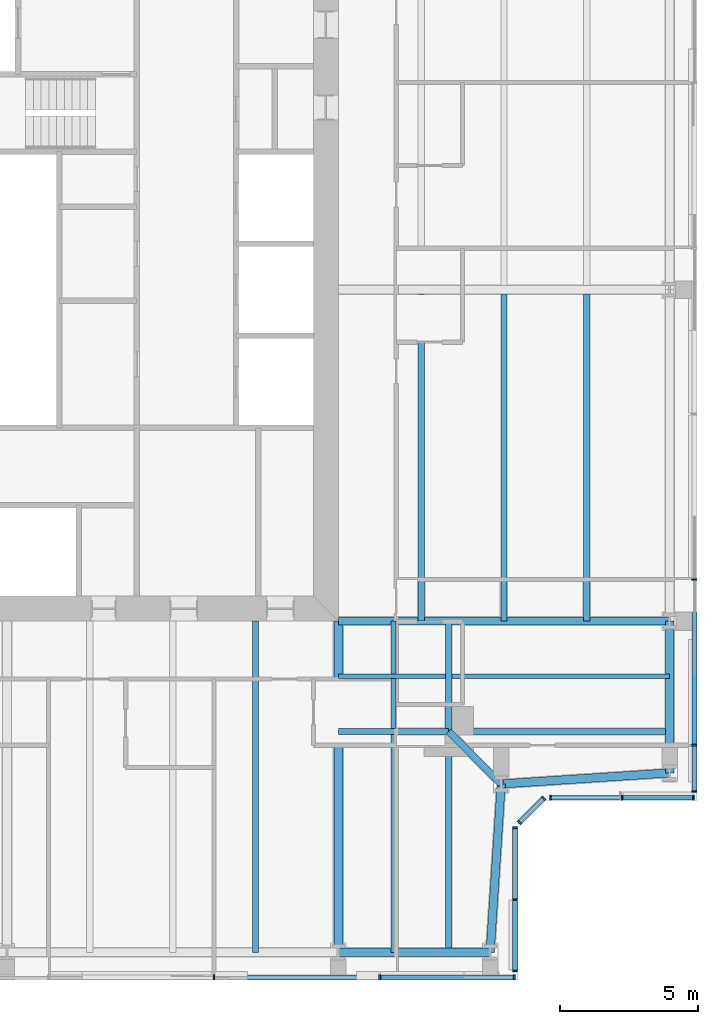
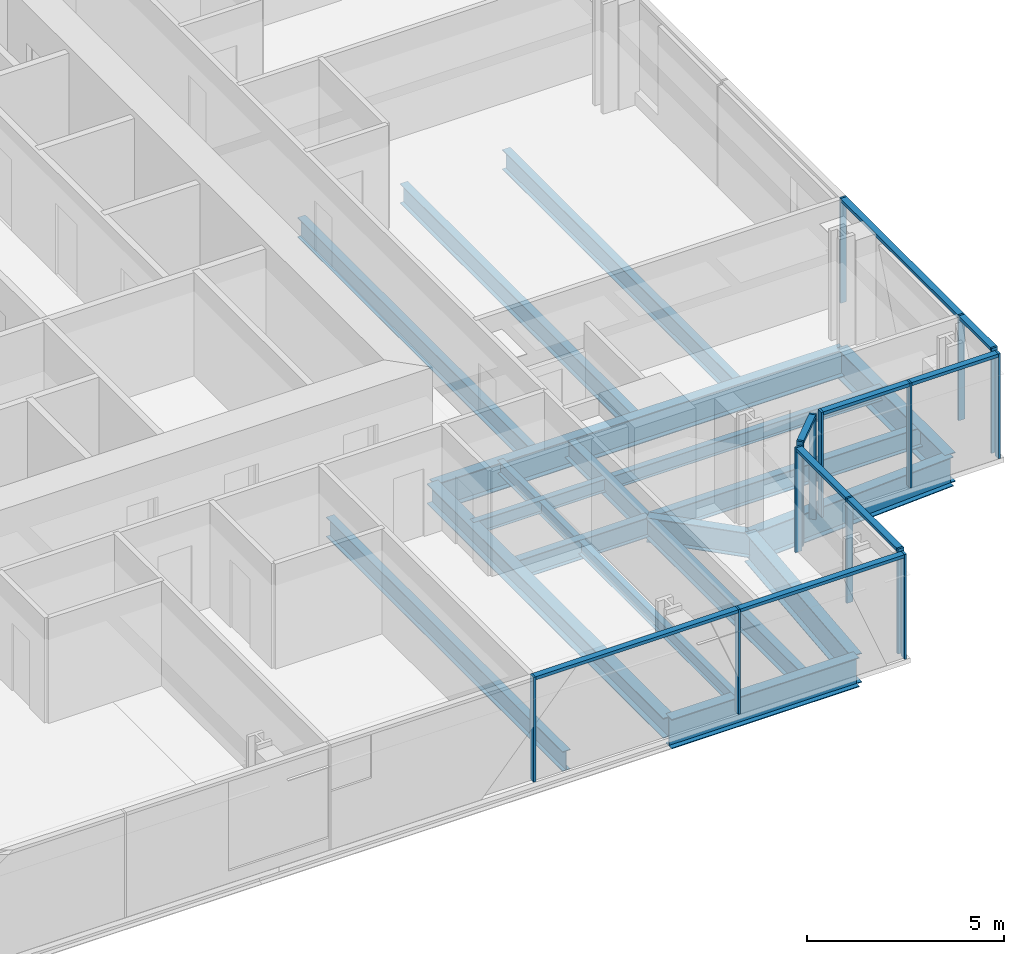
# One storey, part 5 of 20: 23 members, 20 beams, 5 elements without a shape of their own.
"""IFC4 building model written with IfcOpenShell, lengths in metres."""

from ifc_helpers import new_model, si_unit, direction, frame, origin, origin_2d, place, context, subcontext, project, spatial, rectangle, i_section, extrude, material, material_profile, profile_set, type_object, element, aggregate, save


model = new_model("IFC4")

# Units and contexts
model_context = context("Model", 3, precision=1e-05, world=origin(), true_north=direction((0.0, 1.0)))
body_context = subcontext(model_context, "Body", "Model", "MODEL_VIEW")
ifc_project = project(units=[si_unit("LENGTHUNIT", "METRE"), si_unit("AREAUNIT", "SQUARE_METRE"), si_unit("VOLUMEUNIT", "CUBIC_METRE"), si_unit("PLANEANGLEUNIT", "RADIAN"), si_unit("MASSUNIT", "GRAM", prefix="KILO")], contexts=[model_context])

# Site, building, storey
site_placement = place(None, origin())
site = spatial("IfcSite", under=ifc_project, at=site_placement, CompositionType="ELEMENT")
building_placement = place(site_placement, origin())
building = spatial("IfcBuilding", under=site, at=building_placement, Name="Fenwick Lantern Interchange", CompositionType="ELEMENT")
storey_placement = place(building_placement, frame((0.0, 0.0, 259.39990234375)))
storey = spatial("IfcBuildingStorey", under=building, at=storey_placement, Name="L61", CompositionType="ELEMENT", Elevation=259.39990234375)

# Beams
ifc_material_1 = material(Name="Steel ASTM A992 Grade 50", Category="steel")
ifc_material_profile_1 = material_profile(ifc_material_1, i_section(OverallWidth=0.3046875, OverallDepth=0.911865234375, WebThickness=0.015869140625, FlangeThickness=0.02392578125, at=origin_2d()), Name="W36X150")
ifc_profile_set_1 = profile_set([ifc_material_profile_1], Name="Steel ASTM A992 Grade 50")
beam_type_1 = type_object("IfcBeamType", Name="EDGE BEAM W36X150", PredefinedType="SPANDREL", material=ifc_profile_set_1)
beam_1_placement = place(storey_placement, frame((37.0, 1.0, -0.605712890625), z_axis=(1.0, 0.0, 0.0), x_axis=(0.0, 1.0, 0.0)))
element("IfcBeam", 1, at=beam_1_placement, inside=storey, type_object=beam_type_1, Name="L61/FR/S/EB4", PredefinedType="SPANDREL", context=body_context, shape_type="SweptSolid", body=[
    extrude(i_section(OverallWidth=0.3046875, OverallDepth=0.911865234375, WebThickness=0.015869140625, FlangeThickness=0.02392578125, at=origin_2d()), origin(), (0.0, 0.0, 1.0), 5.5),
])
for number, where, z_axis, x_axis, name in (
    (2, (42.5, 1.0, -0.605712890625), (0.065416293237, 0.997858060337, 0.0), (-0.997858060337, 0.065416293237, 0.0), "L61/FR/S/EBR1"),
    (3, (42.89990234375, 7.10009765625, -0.605712890625), (0.997858060337, 0.065416293237, 0.0), (-0.065416293237, 0.997858060337, 0.0), "L61/FR/S/EBR2"),
):
    element("IfcBeam", number, at=place(storey_placement, frame(where, z_axis=z_axis, x_axis=x_axis)), inside=storey, type_object=beam_type_1, Name=name, PredefinedType="SPANDREL", context=body_context, shape_type="SweptSolid", body=[
        extrude(i_section(OverallWidth=0.3046875, OverallDepth=0.911865234375, WebThickness=0.015869140625, FlangeThickness=0.02392578125, at=origin_2d()), origin(), (0.0, 0.0, 1.0), 6.11328125),
    ])
beam_2_placement = place(storey_placement, frame((49.0, 7.5, -0.605712890625), z_axis=(0.0, 1.0, 0.0), x_axis=(-1.0, 0.0, 0.0)))
element("IfcBeam", 4, at=beam_2_placement, inside=storey, type_object=beam_type_1, Name="L61/FR/E/EB1", PredefinedType="SPANDREL", context=body_context, shape_type="SweptSolid", body=[
    extrude(i_section(OverallWidth=0.3046875, OverallDepth=0.911865234375, WebThickness=0.015869140625, FlangeThickness=0.02392578125, at=origin_2d()), origin(), (0.0, 0.0, 1.0), 5.5),
])
ifc_material_profile_2 = material_profile(ifc_material_1, i_section(OverallWidth=0.22900390625, OverallDepth=0.612060546875, WebThickness=0.011962890625, FlangeThickness=0.01953125, at=origin_2d()), Name="W24X84")
ifc_profile_set_2 = profile_set([ifc_material_profile_2], Name="Steel ASTM A992 Grade 50")
beam_type_2 = type_object("IfcBeamType", Name="FLOOR BEAM W24X84", PredefinedType="BEAM", material=ifc_profile_set_2)
beam_3_placement = place(storey_placement, frame((34.0, 1.0, -0.4560546875), z_axis=(0.0, 1.0, 0.0), x_axis=(-1.0, 0.0, 0.0)))
element("IfcBeam", 5, at=beam_3_placement, inside=storey, type_object=beam_type_2, Name="L61/FR/S/R08", PredefinedType="BEAM", context=body_context, shape_type="SweptSolid", body=[
    extrude(i_section(OverallWidth=0.22900390625, OverallDepth=0.612060546875, WebThickness=0.011962890625, FlangeThickness=0.01953125, at=origin_2d()), origin(), (0.0, 0.0, 1.0), 12.0),
])
for number, where, z_axis, x_axis, name in (
    (6, (46.0, 13.0, -0.4560546875), (0.0, 1.0, 0.0), (-1.0, 0.0, 0.0), "L61/FR/E/B01"),
    (7, (43.0, 13.0, -0.4560546875), (0.0, 1.0, 0.0), (-1.0, 0.0, 0.0), "L61/FR/E/B02"),
    (8, (40.0, 13.0, -0.4560546875), (0.0, 1.0, 0.0), (-1.0, 0.0, 0.0), "L61/FR/E/B03"),
):
    element("IfcBeam", number, at=place(storey_placement, frame(where, z_axis=z_axis, x_axis=x_axis)), inside=storey, type_object=beam_type_2, Name=name, PredefinedType="BEAM", context=body_context, shape_type="SweptSolid", body=[
        extrude(i_section(OverallWidth=0.22900390625, OverallDepth=0.612060546875, WebThickness=0.011962890625, FlangeThickness=0.01953125, at=origin_2d()), origin(), (0.0, 0.0, 1.0), 11.844970703125),
    ])

# Curtain wall, members
ifc_material_2 = material(Name="Aluminium curtain wall frame", Category="aluminium")
curtain_wall_type = type_object("IfcCurtainWallType", Name="HOTEL CURTAIN WALL", PredefinedType="USERDEFINED", material=ifc_material_2)
curtain_wall_1_placement = place(storey_placement, origin())
curtain_wall_1 = element("IfcCurtainWall", 9, at=curtain_wall_1_placement, inside=storey, type_object=curtain_wall_type, Name="Hotel curtain wall 01", ObjectType="HOTEL CURTAIN WALL", PredefinedType="USERDEFINED")
ifc_material_3 = material(Name="Aluminium extrusion", Category="aluminium")
ifc_material_profile_3 = material_profile(ifc_material_3, rectangle(XDim=0.179931640625, YDim=0.06005859375, at=origin_2d()), Name="HOTEL CURTAIN WALL MULLION 60 X 180")
ifc_profile_set_3 = profile_set([ifc_material_profile_3], Name="Aluminium extrusion")
member_type_1 = type_object("IfcMemberType", Name="HOTEL CURTAIN WALL MULLION 60 X 180", PredefinedType="MULLION", material=ifc_profile_set_3)
member_1_placement = place(storey_placement, frame((32.5, 0.10009765625, 0.0), z_axis=(0.0, 0.0, 1.0), x_axis=(0.0, 1.0, 0.0)))
member_1 = element("IfcMember", 10, at=member_1_placement, type_object=member_type_1, Name="L61/CW/01/M05", PredefinedType="MULLION", context=body_context, shape_type="SweptSolid", body=[
    extrude(rectangle(XDim=0.179931640625, YDim=0.06005859375, at=origin_2d()), origin(), (0.0, 0.0, 1.0), 3.25),
])
member_2_placement = place(storey_placement, frame((38.5, 0.10009765625, 0.0), z_axis=(0.0, 0.0, 1.0), x_axis=(0.0, 1.0, 0.0)))
member_2 = element("IfcMember", 11, at=member_2_placement, type_object=member_type_1, Name="L61/CW/01/M06", PredefinedType="MULLION", context=body_context, shape_type="SweptSolid", body=[
    extrude(rectangle(XDim=0.179931640625, YDim=0.06005859375, at=origin_2d()), origin(), (0.0, 0.0, 1.0), 3.25),
])
member_3_placement = place(storey_placement, frame((43.3701171875, 0.10009765625, 0.0), z_axis=(0.0, 0.0, 1.0), x_axis=(0.0, 1.0, 0.0)))
member_3 = element("IfcMember", 12, at=member_3_placement, type_object=member_type_1, Name="L61/CW/01/M07", PredefinedType="MULLION", context=body_context, shape_type="SweptSolid", body=[
    extrude(rectangle(XDim=0.179931640625, YDim=0.06005859375, at=origin_2d()), origin(), (0.0, 0.0, 1.0), 3.25),
])

curtain_wall_2_placement = place(storey_placement, origin())
curtain_wall_2 = element("IfcCurtainWall", 13, at=curtain_wall_2_placement, inside=storey, type_object=curtain_wall_type, Name="Hotel curtain wall 02", ObjectType="HOTEL CURTAIN WALL", PredefinedType="USERDEFINED")
member_4_placement = place(storey_placement, frame((43.39990234375, 0.330078125, 0.0), z_axis=(0.0, 0.0, 1.0), x_axis=(-1.0, 0.0, 0.0)))
member_4 = element("IfcMember", 14, at=member_4_placement, type_object=member_type_1, Name="L61/CW/02/M00", PredefinedType="MULLION", context=body_context, shape_type="SweptSolid", body=[
    extrude(rectangle(XDim=0.179931640625, YDim=0.06005859375, at=origin_2d()), origin(), (0.0, 0.0, 1.0), 3.25),
])
member_5_placement = place(storey_placement, frame((43.39990234375, 2.920654296875, 0.0), z_axis=(0.0, 0.0, 1.0), x_axis=(-1.0, 0.0, 0.0)))
member_5 = element("IfcMember", 15, at=member_5_placement, type_object=member_type_1, Name="L61/CW/02/M01", PredefinedType="MULLION", context=body_context, shape_type="SweptSolid", body=[
    extrude(rectangle(XDim=0.179931640625, YDim=0.06005859375, at=origin_2d()), origin(), (0.0, 0.0, 1.0), 3.25),
])
member_6_placement = place(storey_placement, frame((43.39990234375, 5.511474609375, 0.0), z_axis=(0.0, 0.0, 1.0), x_axis=(-1.0, 0.0, 0.0)))
member_6 = element("IfcMember", 16, at=member_6_placement, type_object=member_type_1, Name="L61/CW/02/M02", PredefinedType="MULLION", context=body_context, shape_type="SweptSolid", body=[
    extrude(rectangle(XDim=0.179931640625, YDim=0.06005859375, at=origin_2d()), origin(), (0.0, 0.0, 1.0), 3.25),
])

curtain_wall_3_placement = place(storey_placement, origin())
curtain_wall_3 = element("IfcCurtainWall", 17, at=curtain_wall_3_placement, inside=storey, type_object=curtain_wall_type, Name="Hotel curtain wall 03", ObjectType="HOTEL CURTAIN WALL", PredefinedType="USERDEFINED")
member_7_placement = place(storey_placement, frame((43.562744140625, 5.7041015625, 0.0), z_axis=(0.0, 0.0, 1.0), x_axis=(-0.707106781187, 0.707106781187, 0.0)))
member_7 = element("IfcMember", 18, at=member_7_placement, type_object=member_type_1, Name="L61/CW/03/M00", PredefinedType="MULLION", context=body_context, shape_type="SweptSolid", body=[
    extrude(rectangle(XDim=0.179931640625, YDim=0.06005859375, at=origin_2d()), origin(), (0.0, 0.0, 1.0), 3.25),
])
member_8_placement = place(storey_placement, frame((44.437255859375, 6.578857421875, 0.0), z_axis=(0.0, 0.0, 1.0), x_axis=(-0.707106781187, 0.707106781187, 0.0)))
member_8 = element("IfcMember", 19, at=member_8_placement, type_object=member_type_1, Name="L61/CW/03/M01", PredefinedType="MULLION", context=body_context, shape_type="SweptSolid", body=[
    extrude(rectangle(XDim=0.179931640625, YDim=0.06005859375, at=origin_2d()), origin(), (0.0, 0.0, 1.0), 3.25),
])

curtain_wall_4_placement = place(storey_placement, origin())
curtain_wall_4 = element("IfcCurtainWall", 20, at=curtain_wall_4_placement, inside=storey, type_object=curtain_wall_type, Name="Hotel curtain wall 04", ObjectType="HOTEL CURTAIN WALL", PredefinedType="USERDEFINED")
member_9_placement = place(storey_placement, frame((44.6884765625, 6.60009765625, 0.0), z_axis=(0.0, 0.0, 1.0), x_axis=(0.0, 1.0, 0.0)))
member_9 = element("IfcMember", 21, at=member_9_placement, type_object=member_type_1, Name="L61/CW/04/M00", PredefinedType="MULLION", context=body_context, shape_type="SweptSolid", body=[
    extrude(rectangle(XDim=0.179931640625, YDim=0.06005859375, at=origin_2d()), origin(), (0.0, 0.0, 1.0), 3.25),
])
member_10_placement = place(storey_placement, frame((47.279296875, 6.60009765625, 0.0), z_axis=(0.0, 0.0, 1.0), x_axis=(0.0, 1.0, 0.0)))
member_10 = element("IfcMember", 22, at=member_10_placement, type_object=member_type_1, Name="L61/CW/04/M01", PredefinedType="MULLION", context=body_context, shape_type="SweptSolid", body=[
    extrude(rectangle(XDim=0.179931640625, YDim=0.06005859375, at=origin_2d()), origin(), (0.0, 0.0, 1.0), 3.25),
])
member_11_placement = place(storey_placement, frame((49.8701171875, 6.60009765625, 0.0), z_axis=(0.0, 0.0, 1.0), x_axis=(0.0, 1.0, 0.0)))
member_11 = element("IfcMember", 23, at=member_11_placement, type_object=member_type_1, Name="L61/CW/04/M02", PredefinedType="MULLION", context=body_context, shape_type="SweptSolid", body=[
    extrude(rectangle(XDim=0.179931640625, YDim=0.06005859375, at=origin_2d()), origin(), (0.0, 0.0, 1.0), 3.25),
])

curtain_wall_5_placement = place(storey_placement, origin())
curtain_wall_5 = element("IfcCurtainWall", 24, at=curtain_wall_5_placement, inside=storey, type_object=curtain_wall_type, Name="Hotel curtain wall 05", ObjectType="HOTEL CURTAIN WALL", PredefinedType="USERDEFINED")
member_12_placement = place(storey_placement, frame((49.89990234375, 6.830078125, 0.0), z_axis=(0.0, 0.0, 1.0), x_axis=(-1.0, 0.0, 0.0)))
member_12 = element("IfcMember", 25, at=member_12_placement, type_object=member_type_1, Name="L61/CW/05/M00", PredefinedType="MULLION", context=body_context, shape_type="SweptSolid", body=[
    extrude(rectangle(XDim=0.179931640625, YDim=0.06005859375, at=origin_2d()), origin(), (0.0, 0.0, 1.0), 3.25),
])
member_13_placement = place(storey_placement, frame((49.89990234375, 8.5, 0.0), z_axis=(0.0, 0.0, 1.0), x_axis=(-1.0, 0.0, 0.0)))
member_13 = element("IfcMember", 26, at=member_13_placement, type_object=member_type_1, Name="L61/CW/05/M01", PredefinedType="MULLION", context=body_context, shape_type="SweptSolid", body=[
    extrude(rectangle(XDim=0.179931640625, YDim=0.06005859375, at=origin_2d()), origin(), (0.0, 0.0, 1.0), 3.25),
])
member_14_placement = place(storey_placement, frame((49.89990234375, 14.5, 0.0), z_axis=(0.0, 0.0, 1.0), x_axis=(-1.0, 0.0, 0.0)))
member_14 = element("IfcMember", 27, at=member_14_placement, type_object=member_type_1, Name="L61/CW/05/M02", PredefinedType="MULLION", context=body_context, shape_type="SweptSolid", body=[
    extrude(rectangle(XDim=0.179931640625, YDim=0.06005859375, at=origin_2d()), origin(), (0.0, 0.0, 1.0), 3.25),
])

# Member
ifc_material_profile_4 = material_profile(ifc_material_3, rectangle(XDim=0.179931640625, YDim=0.10009765625, at=origin_2d()), Name="HOTEL CURTAIN WALL TRANSOM 100 X 180")
ifc_profile_set_4 = profile_set([ifc_material_profile_4], Name="Aluminium extrusion")
member_type_2 = type_object("IfcMemberType", Name="HOTEL CURTAIN WALL TRANSOM 100 X 180", PredefinedType="MULLION", material=ifc_profile_set_4)
member_15_placement = place(storey_placement, frame((32.530029296875, 0.10009765625, 3.2001953125), z_axis=(1.0, 0.0, 0.0), x_axis=(0.0, 1.0, 0.0)))
member_15 = element("IfcMember", 28, at=member_15_placement, type_object=member_type_2, Name="L61/CW/01/T05", PredefinedType="MULLION", context=body_context, shape_type="SweptSolid", body=[
    extrude(rectangle(XDim=0.179931640625, YDim=0.10009765625, at=origin_2d()), origin(), (0.0, 0.0, 1.0), 5.93994140625),
])

member_16_placement = place(storey_placement, frame((38.530029296875, 0.10009765625, 3.2001953125), z_axis=(1.0, 0.0, 0.0), x_axis=(0.0, 1.0, 0.0)))
member_16 = element("IfcMember", 29, at=member_16_placement, type_object=member_type_2, Name="L61/CW/01/T06", PredefinedType="MULLION", context=body_context, shape_type="SweptSolid", body=[
    extrude(rectangle(XDim=0.179931640625, YDim=0.10009765625, at=origin_2d()), origin(), (0.0, 0.0, 1.0), 4.81005859375),
])

aggregate(curtain_wall_1, [member_1, member_2, member_3, member_15, member_16])

member_17_placement = place(storey_placement, frame((43.39990234375, 0.360107421875, 3.2001953125), z_axis=(0.0, 1.0, 0.0), x_axis=(-1.0, 0.0, 0.0)))
member_17 = element("IfcMember", 30, at=member_17_placement, type_object=member_type_2, Name="L61/CW/02/T00", PredefinedType="MULLION", context=body_context, shape_type="SweptSolid", body=[
    extrude(rectangle(XDim=0.179931640625, YDim=0.10009765625, at=origin_2d()), origin(), (0.0, 0.0, 1.0), 2.530517578125),
])

member_18_placement = place(storey_placement, frame((43.39990234375, 2.95068359375, 3.2001953125), z_axis=(0.0, 1.0, 0.0), x_axis=(-1.0, 0.0, 0.0)))
member_18 = element("IfcMember", 31, at=member_18_placement, type_object=member_type_2, Name="L61/CW/02/T01", PredefinedType="MULLION", context=body_context, shape_type="SweptSolid", body=[
    extrude(rectangle(XDim=0.179931640625, YDim=0.10009765625, at=origin_2d()), origin(), (0.0, 0.0, 1.0), 2.53076171875),
])

aggregate(curtain_wall_2, [member_4, member_5, member_6, member_17, member_18])

member_19_placement = place(storey_placement, frame((43.583740234375, 5.725341796875, 3.2001953125), z_axis=(0.707210470133, 0.707003077033, 0.0), x_axis=(-0.707003077033, 0.707210470133, 0.0)))
member_19 = element("IfcMember", 32, at=member_19_placement, type_object=member_type_2, Name="L61/CW/03/T00", PredefinedType="MULLION", context=body_context, shape_type="SweptSolid", body=[
    extrude(rectangle(XDim=0.179931640625, YDim=0.10009765625, at=origin_2d()), origin(), (0.0, 0.0, 1.0), 1.17724609375),
])

aggregate(curtain_wall_3, [member_7, member_8, member_19])

member_20_placement = place(storey_placement, frame((44.718505859375, 6.60009765625, 3.2001953125), z_axis=(1.0, 0.0, 0.0), x_axis=(0.0, 1.0, 0.0)))
member_20 = element("IfcMember", 33, at=member_20_placement, type_object=member_type_2, Name="L61/CW/04/T00", PredefinedType="MULLION", context=body_context, shape_type="SweptSolid", body=[
    extrude(rectangle(XDim=0.179931640625, YDim=0.10009765625, at=origin_2d()), origin(), (0.0, 0.0, 1.0), 2.53076171875),
])

member_21_placement = place(storey_placement, frame((47.309326171875, 6.60009765625, 3.2001953125), z_axis=(1.0, 0.0, 0.0), x_axis=(0.0, 1.0, 0.0)))
member_21 = element("IfcMember", 34, at=member_21_placement, type_object=member_type_2, Name="L61/CW/04/T01", PredefinedType="MULLION", context=body_context, shape_type="SweptSolid", body=[
    extrude(rectangle(XDim=0.179931640625, YDim=0.10009765625, at=origin_2d()), origin(), (0.0, 0.0, 1.0), 2.53076171875),
])

aggregate(curtain_wall_4, [member_9, member_10, member_11, member_20, member_21])

member_22_placement = place(storey_placement, frame((49.89990234375, 6.860107421875, 3.2001953125), z_axis=(0.0, 1.0, 0.0), x_axis=(-1.0, 0.0, 0.0)))
member_22 = element("IfcMember", 35, at=member_22_placement, type_object=member_type_2, Name="L61/CW/05/T00", PredefinedType="MULLION", context=body_context, shape_type="SweptSolid", body=[
    extrude(rectangle(XDim=0.179931640625, YDim=0.10009765625, at=origin_2d()), origin(), (0.0, 0.0, 1.0), 1.60986328125),
])

member_23_placement = place(storey_placement, frame((49.89990234375, 8.530029296875, 3.2001953125), z_axis=(0.0, 1.0, 0.0), x_axis=(-1.0, 0.0, 0.0)))
member_23 = element("IfcMember", 36, at=member_23_placement, type_object=member_type_2, Name="L61/CW/05/T01", PredefinedType="MULLION", context=body_context, shape_type="SweptSolid", body=[
    extrude(rectangle(XDim=0.179931640625, YDim=0.10009765625, at=origin_2d()), origin(), (0.0, 0.0, 1.0), 5.93994140625),
])

aggregate(curtain_wall_5, [member_12, member_13, member_14, member_22, member_23])

# Beams
ifc_material_profile_5 = material_profile(ifc_material_1, i_section(OverallWidth=0.177734375, OverallDepth=0.406494140625, WebThickness=0.0078125, FlangeThickness=0.012939453125, at=origin_2d()), Name="W16X40")
ifc_profile_set_5 = profile_set([ifc_material_profile_5], Name="Steel ASTM A992 Grade 50")
beam_type_3 = type_object("IfcBeamType", Name="INFILL BEAM W16X40", PredefinedType="JOIST", material=ifc_profile_set_5)
beam_4_placement = place(storey_placement, frame((49.0, 11.0, -0.35302734375), z_axis=(-1.0, 0.0, 0.0), x_axis=(0.0, -1.0, 0.0)))
element("IfcBeam", 37, at=beam_4_placement, inside=storey, type_object=beam_type_3, Name="L61/FR/E/J1", PredefinedType="JOIST", context=body_context, shape_type="SweptSolid", body=[
    extrude(i_section(OverallWidth=0.177734375, OverallDepth=0.406494140625, WebThickness=0.0078125, FlangeThickness=0.012939453125, at=origin_2d()), origin(), (0.0, 0.0, 1.0), 7.885498046875),
])
beam_5_placement = place(storey_placement, frame((40.885498046875, 11.0, -0.35302734375), z_axis=(-1.0, 0.0, 0.0), x_axis=(0.0, -1.0, 0.0)))
element("IfcBeam", 38, at=beam_5_placement, inside=storey, type_object=beam_type_3, Name="L61/FR/E/J2", PredefinedType="JOIST", context=body_context, shape_type="SweptSolid", body=[
    extrude(i_section(OverallWidth=0.177734375, OverallDepth=0.406494140625, WebThickness=0.0078125, FlangeThickness=0.012939453125, at=origin_2d()), origin(), (0.0, 0.0, 1.0), 3.885498046875),
])
beam_6_placement = place(storey_placement, frame((39.0, 1.0, -0.35302734375), z_axis=(0.0, 1.0, 0.0), x_axis=(-1.0, 0.0, 0.0)))
element("IfcBeam", 39, at=beam_6_placement, inside=storey, type_object=beam_type_3, Name="L61/FR/E/J3", PredefinedType="JOIST", context=body_context, shape_type="SweptSolid", body=[
    extrude(i_section(OverallWidth=0.177734375, OverallDepth=0.406494140625, WebThickness=0.0078125, FlangeThickness=0.012939453125, at=origin_2d()), origin(), (0.0, 0.0, 1.0), 7.885498046875),
])
beam_7_placement = place(storey_placement, frame((39.0, 9.114501953125, -0.35302734375), z_axis=(0.0, 1.0, 0.0), x_axis=(-1.0, 0.0, 0.0)))
element("IfcBeam", 40, at=beam_7_placement, inside=storey, type_object=beam_type_3, Name="L61/FR/E/J4", PredefinedType="JOIST", context=body_context, shape_type="SweptSolid", body=[
    extrude(i_section(OverallWidth=0.177734375, OverallDepth=0.406494140625, WebThickness=0.0078125, FlangeThickness=0.012939453125, at=origin_2d()), origin(), (0.0, 0.0, 1.0), 1.796630859375),
])
beam_8_placement = place(storey_placement, frame((39.0, 11.0888671875, -0.35302734375), z_axis=(0.0, 1.0, 0.0), x_axis=(-1.0, 0.0, 0.0)))
element("IfcBeam", 41, at=beam_8_placement, inside=storey, type_object=beam_type_3, Name="L61/FR/E/J5", PredefinedType="JOIST", context=body_context, shape_type="SweptSolid", body=[
    extrude(i_section(OverallWidth=0.177734375, OverallDepth=0.406494140625, WebThickness=0.0078125, FlangeThickness=0.012939453125, at=origin_2d()), origin(), (0.0, 0.0, 1.0), 1.9111328125),
])
ifc_material_profile_6 = material_profile(ifc_material_1, i_section(OverallWidth=0.22900390625, OverallDepth=0.612060546875, WebThickness=0.011962890625, FlangeThickness=0.01953125, at=origin_2d()), Name="W24X84")
ifc_profile_set_6 = profile_set([ifc_material_profile_6], Name="Steel ASTM A992 Grade 50")
beam_type_4 = type_object("IfcBeamType", Name="MEGA COLUMN BEAM W24X84", PredefinedType="BEAM", material=ifc_profile_set_6)
for number, where, z_axis, x_axis, name in (
    (42, (41.0, 9.0, -0.4560546875), (1.0, 0.0, 0.0), (0.0, 1.0, 0.0), "L61/FR/E/MB1"),
    (43, (41.0, 9.0, -0.4560546875), (0.0, -1.0, 0.0), (1.0, 0.0, 0.0), "L61/FR/E/MB2"),
):
    element("IfcBeam", number, at=place(storey_placement, frame(where, z_axis=z_axis, x_axis=x_axis)), inside=storey, type_object=beam_type_4, Name=name, PredefinedType="BEAM", context=body_context, shape_type="SweptSolid", body=[
        extrude(i_section(OverallWidth=0.22900390625, OverallDepth=0.612060546875, WebThickness=0.011962890625, FlangeThickness=0.01953125, at=origin_2d()), origin(), (0.0, 0.0, 1.0), 8.0),
    ])
for number, where, z_axis, x_axis, name in (
    (44, (41.0, 9.0, -0.4560546875), (0.0, 1.0, 0.0), (-1.0, 0.0, 0.0), "L61/FR/E/MB3"),
    (45, (41.0, 9.0, -0.4560546875), (-1.0, 0.0, 0.0), (0.0, -1.0, 0.0), "L61/FR/E/MB4"),
):
    element("IfcBeam", number, at=place(storey_placement, frame(where, z_axis=z_axis, x_axis=x_axis)), inside=storey, type_object=beam_type_4, Name=name, PredefinedType="BEAM", context=body_context, shape_type="SweptSolid", body=[
        extrude(i_section(OverallWidth=0.22900390625, OverallDepth=0.612060546875, WebThickness=0.011962890625, FlangeThickness=0.01953125, at=origin_2d()), origin(), (0.0, 0.0, 1.0), 4.0),
    ])
ifc_material_profile_7 = material_profile(ifc_material_1, i_section(OverallWidth=0.32763671875, OverallDepth=0.622314453125, WebThickness=0.015380859375, FlangeThickness=0.0244140625, at=origin_2d()), Name="W24X131")
ifc_profile_set_7 = profile_set([ifc_material_profile_7], Name="Steel ASTM A992 Grade 50")
beam_type_5 = type_object("IfcBeamType", Name="MOMENT-CONNECTED GIRDER W24X131", PredefinedType="BEAM", material=ifc_profile_set_7)
beam_9_placement = place(storey_placement, frame((37.0, 1.0, -0.4609375), z_axis=(0.0, 1.0, 0.0), x_axis=(-1.0, 0.0, 0.0)))
element("IfcBeam", 46, at=beam_9_placement, inside=storey, type_object=beam_type_5, Name="L61/FR/S/R09", PredefinedType="BEAM", context=body_context, shape_type="SweptSolid", body=[
    extrude(i_section(OverallWidth=0.32763671875, OverallDepth=0.622314453125, WebThickness=0.015380859375, FlangeThickness=0.0244140625, at=origin_2d()), origin(), (0.0, 0.0, 1.0), 12.0),
])
ifc_material_profile_8 = material_profile(ifc_material_1, i_section(OverallWidth=0.2919921875, OverallDepth=0.845703125, WebThickness=0.015380859375, FlangeThickness=0.0244140625, at=origin_2d()), Name="W33X141")
ifc_profile_set_8 = profile_set([ifc_material_profile_8], Name="Steel ASTM A992 Grade 50")
beam_type_6 = type_object("IfcBeamType", Name="MOMENT-CONNECTED GIRDER W33X141", PredefinedType="BEAM", material=ifc_profile_set_8)
beam_10_placement = place(storey_placement, frame((49.0, 13.0, -0.57275390625), z_axis=(-1.0, 0.0, 0.0), x_axis=(0.0, -1.0, 0.0)))
element("IfcBeam", 47, at=beam_10_placement, inside=storey, type_object=beam_type_6, Name="L61/FR/E/R01", PredefinedType="BEAM", context=body_context, shape_type="SweptSolid", body=[
    extrude(i_section(OverallWidth=0.2919921875, OverallDepth=0.845703125, WebThickness=0.015380859375, FlangeThickness=0.0244140625, at=origin_2d()), origin(), (0.0, 0.0, 1.0), 12.0),
])
ifc_material_profile_9 = material_profile(ifc_material_1, i_section(OverallWidth=0.2666015625, OverallDepth=0.7568359375, WebThickness=0.013916015625, FlangeThickness=0.019287109375, at=origin_2d()), Name="W30X108")
ifc_profile_set_9 = profile_set([ifc_material_profile_9], Name="Steel ASTM A992 Grade 50")
beam_type_7 = type_object("IfcBeamType", Name="NOTCH BEAM W30X108", PredefinedType="BEAM", material=ifc_profile_set_9)
beam_11_placement = place(storey_placement, frame((41.0, 9.0, -0.5283203125), z_axis=(0.707106781187, -0.707106781187, 0.0), x_axis=(0.707106781187, 0.707106781187, 0.0)))
element("IfcBeam", 48, at=beam_11_placement, inside=storey, type_object=beam_type_7, Name="L61/FR/E/TG", PredefinedType="BEAM", context=body_context, shape_type="SweptSolid", body=[
    extrude(i_section(OverallWidth=0.2666015625, OverallDepth=0.7568359375, WebThickness=0.013916015625, FlangeThickness=0.019287109375, at=origin_2d()), origin(), (0.0, 0.0, 1.0), 2.686767578125),
])

save(model, "model.ifc")
